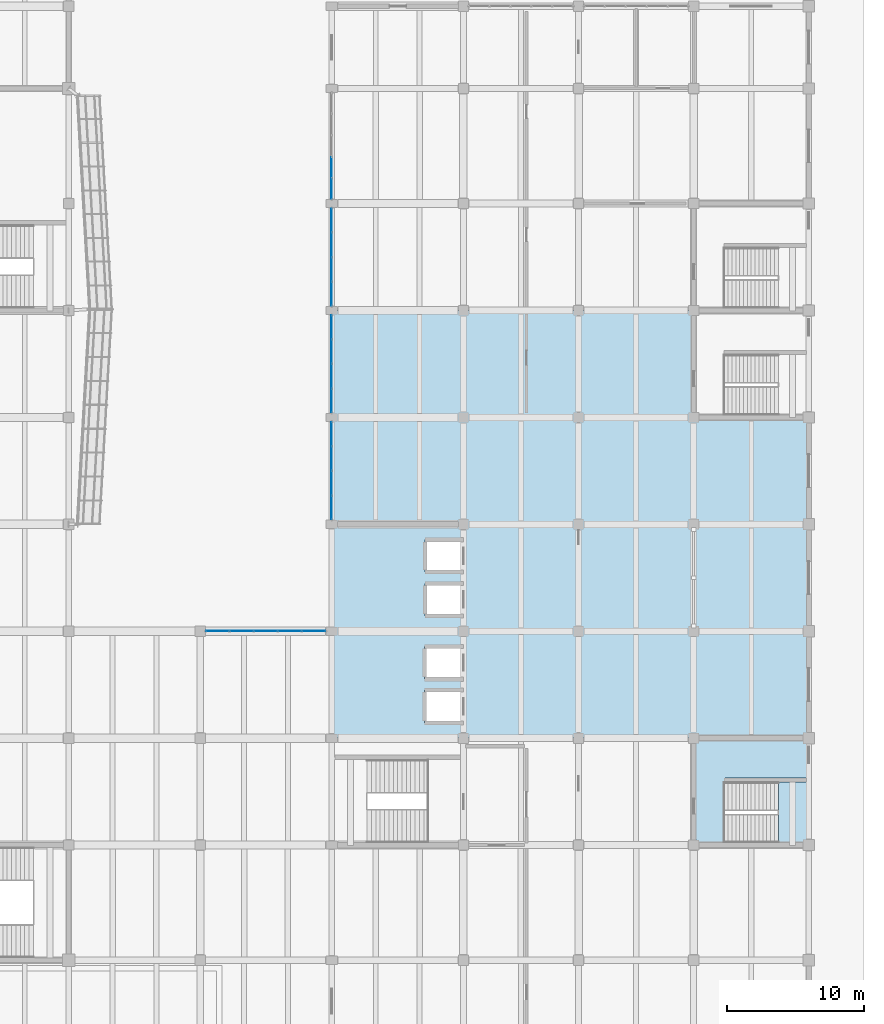
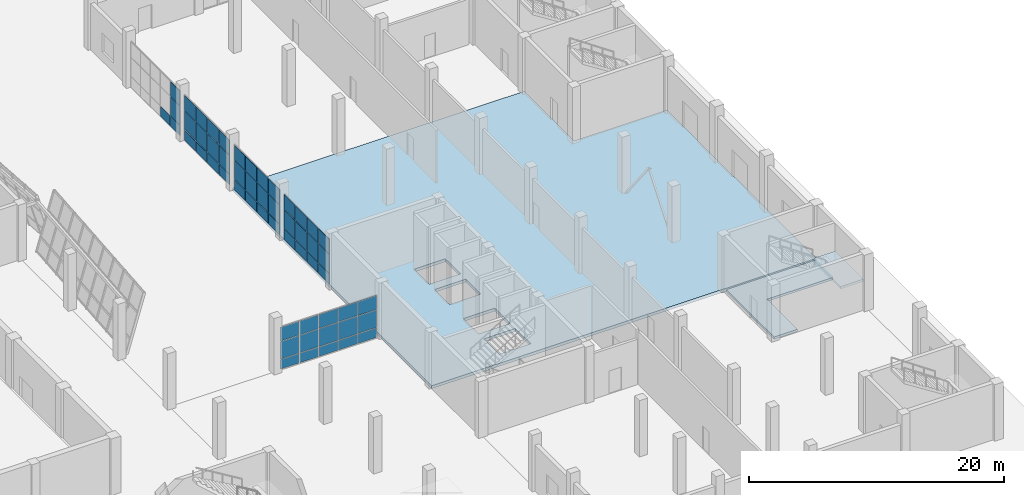
# One storey, part 53 of 78: 55 plates, 3 slabs, 6 elements without a shape of their own.
"""IFC4 building model written with IfcOpenShell, lengths in metres."""

from ifc_helpers import new_model, si_unit, direction, frame, origin, place, context, subcontext, project, spatial, polyline, outline, extrude, material, layer, layer_set, type_object, element, aggregate, save


model = new_model("IFC4")

# Units and contexts
model_context = context("Model", 3, precision=1e-05, world=origin(), true_north=direction((0.0, 1.0)))
body_context = subcontext(model_context, "Body", "Model", "MODEL_VIEW")
ifc_project = project(units=[si_unit("LENGTHUNIT", "METRE"), si_unit("AREAUNIT", "SQUARE_METRE"), si_unit("VOLUMEUNIT", "CUBIC_METRE"), si_unit("PLANEANGLEUNIT", "RADIAN"), si_unit("MASSUNIT", "GRAM", prefix="KILO")], contexts=[model_context])

# Site, building, storey
site_placement = place(None, origin())
site = spatial("IfcSite", under=ifc_project, at=site_placement, CompositionType="ELEMENT")
building_placement = place(site_placement, origin())
building = spatial("IfcBuilding", under=site, at=building_placement, Name="Pellamere Symphony Hall", CompositionType="ELEMENT")
storey_placement = place(building_placement, origin())
storey = spatial("IfcBuildingStorey", under=building, at=storey_placement, Name="L00", CompositionType="ELEMENT", Elevation=0.0)

# Curtain wall, plates
ifc_material_1 = material(Name="Thermally Broken Anodised Aluminium 6063-T6 Curtain Wall", Category="aluminium")
curtain_wall_type_1 = type_object("IfcCurtainWallType", Name="Curtain Wall CW-03 (Sculpture Court Glazed Link Curtain Wall)", PredefinedType="NOTDEFINED", material=ifc_material_1)
curtain_wall_1_placement = place(storey_placement, origin())
curtain_wall_1 = element("IfcCurtainWall", 1, at=curtain_wall_1_placement, inside=storey, type_object=curtain_wall_type_1, Name="Sculpture Court Link Curtain Wall (L00 Bay 2)", PredefinedType="NOTDEFINED")
ifc_material_2 = material(Name="Brushed Champagne-Anodised Aluminium Acoustic Cassette", Category="aluminium")
ifc_layer_1 = layer(ifc_material_2, 0.044921875, Name="Brushed Champagne-Anodised Aluminium Acoustic Cassette")
ifc_layer_set_1 = layer_set([ifc_layer_1], Name="Brushed Champagne-Anodised Aluminium Acoustic Cassette")
plate_type_1 = type_object("IfcPlateType", Name="Facade Panel CL-02 45mm", PredefinedType="CURTAIN_PANEL", material=ifc_layer_set_1)
plate_1_placement = place(storey_placement, frame((128.8349609375, 54.0, 0.06005859375), z_axis=(0.0, -1.0, 0.0), x_axis=(1.0, 0.0, 0.0)))
plate_1 = element("IfcPlate", 2, at=plate_1_placement, type_object=plate_type_1, Name="CW3-102 crystal glass panel 1.1", PredefinedType="CURTAIN_PANEL", context=body_context, shape_type="SweptSolid", body=[
    extrude(outline(polyline([(0.0, 0.0), (1.669921875, 0.0), (1.669921875, 0.898681640625), (0.0, 0.898681640625), (0.0, 0.0)])), origin(), (0.0, 0.0, -1.0), 0.044921875),
])
plate_2_placement = place(storey_placement, frame((128.8349609375, 54.0, 1.018798828125), z_axis=(0.0, -1.0, 0.0), x_axis=(1.0, 0.0, 0.0)))
plate_2 = element("IfcPlate", 3, at=plate_2_placement, type_object=plate_type_1, Name="CW3-102 crystal glass panel 1.2", PredefinedType="CURTAIN_PANEL", context=body_context, shape_type="SweptSolid", body=[
    extrude(outline(polyline([(0.0, 0.0), (1.669921875, 0.0), (1.669921875, 1.67041015625), (0.0, 1.67041015625), (0.0, 0.0)])), origin(), (0.0, 0.0, -1.0), 0.044921875),
])
plate_3_placement = place(storey_placement, frame((128.8349609375, 54.0, 2.749267578125), z_axis=(0.0, -1.0, 0.0), x_axis=(1.0, 0.0, 0.0)))
plate_3 = element("IfcPlate", 4, at=plate_3_placement, type_object=plate_type_1, Name="CW3-102 crystal glass panel 1.3", PredefinedType="CURTAIN_PANEL", context=body_context, shape_type="SweptSolid", body=[
    extrude(outline(polyline([(0.0, 0.0), (1.669921875, 0.0), (1.669921875, 1.310791015625), (0.0, 1.310791015625), (0.0, 0.0)])), origin(), (0.0, 0.0, -1.0), 0.044921875),
])
plate_4_placement = place(storey_placement, frame((130.56494140625, 54.0, 0.06005859375), z_axis=(0.0, -1.0, 0.0), x_axis=(1.0, 0.0, 0.0)))
plate_4 = element("IfcPlate", 5, at=plate_4_placement, type_object=plate_type_1, Name="CW3-102 crystal glass panel 2.1", PredefinedType="CURTAIN_PANEL", context=body_context, shape_type="SweptSolid", body=[
    extrude(outline(polyline([(0.0, 0.0), (1.699951171875, 0.0), (1.699951171875, 0.898681640625), (0.0, 0.898681640625), (0.0, 0.0)])), origin(), (0.0, 0.0, -1.0), 0.044921875),
])
plate_5_placement = place(storey_placement, frame((130.56494140625, 54.0, 1.018798828125), z_axis=(0.0, -1.0, 0.0), x_axis=(1.0, 0.0, 0.0)))
plate_5 = element("IfcPlate", 6, at=plate_5_placement, type_object=plate_type_1, Name="CW3-102 crystal glass panel 2.2", PredefinedType="CURTAIN_PANEL", context=body_context, shape_type="SweptSolid", body=[
    extrude(outline(polyline([(0.0, 0.0), (1.699951171875, 0.0), (1.699951171875, 1.67041015625), (0.0, 1.67041015625), (0.0, 0.0)])), origin(), (0.0, 0.0, -1.0), 0.044921875),
])
plate_6_placement = place(storey_placement, frame((130.56494140625, 54.0, 2.749267578125), z_axis=(0.0, -1.0, 0.0), x_axis=(1.0, 0.0, 0.0)))
plate_6 = element("IfcPlate", 7, at=plate_6_placement, type_object=plate_type_1, Name="CW3-102 crystal glass panel 2.3", PredefinedType="CURTAIN_PANEL", context=body_context, shape_type="SweptSolid", body=[
    extrude(outline(polyline([(0.0, 0.0), (1.699951171875, 0.0), (1.699951171875, 1.310791015625), (0.0, 1.310791015625), (0.0, 0.0)])), origin(), (0.0, 0.0, -1.0), 0.044921875),
])
plate_7_placement = place(storey_placement, frame((132.324951171875, 54.0, 0.06005859375), z_axis=(0.0, -1.0, 0.0), x_axis=(1.0, 0.0, 0.0)))
plate_7 = element("IfcPlate", 8, at=plate_7_placement, type_object=plate_type_1, Name="CW3-102 crystal glass panel 3.1", PredefinedType="CURTAIN_PANEL", context=body_context, shape_type="SweptSolid", body=[
    extrude(outline(polyline([(0.0, 0.0), (1.699951171875, 0.0), (1.699951171875, 0.898681640625), (0.0, 0.898681640625), (0.0, 0.0)])), origin(), (0.0, 0.0, -1.0), 0.044921875),
])
plate_8_placement = place(storey_placement, frame((132.324951171875, 54.0, 1.018798828125), z_axis=(0.0, -1.0, 0.0), x_axis=(1.0, 0.0, 0.0)))
plate_8 = element("IfcPlate", 9, at=plate_8_placement, type_object=plate_type_1, Name="CW3-102 crystal glass panel 3.2", PredefinedType="CURTAIN_PANEL", context=body_context, shape_type="SweptSolid", body=[
    extrude(outline(polyline([(0.0, 0.0), (1.699951171875, 0.0), (1.699951171875, 1.67041015625), (0.0, 1.67041015625), (0.0, 0.0)])), origin(), (0.0, 0.0, -1.0), 0.044921875),
])
plate_9_placement = place(storey_placement, frame((132.324951171875, 54.0, 2.749267578125), z_axis=(0.0, -1.0, 0.0), x_axis=(1.0, 0.0, 0.0)))
plate_9 = element("IfcPlate", 10, at=plate_9_placement, type_object=plate_type_1, Name="CW3-102 crystal glass panel 3.3", PredefinedType="CURTAIN_PANEL", context=body_context, shape_type="SweptSolid", body=[
    extrude(outline(polyline([(0.0, 0.0), (1.699951171875, 0.0), (1.699951171875, 1.310791015625), (0.0, 1.310791015625), (0.0, 0.0)])), origin(), (0.0, 0.0, -1.0), 0.044921875),
])
plate_10_placement = place(storey_placement, frame((134.0849609375, 54.0, 0.06005859375), z_axis=(0.0, -1.0, 0.0), x_axis=(1.0, 0.0, 0.0)))
plate_10 = element("IfcPlate", 11, at=plate_10_placement, type_object=plate_type_1, Name="CW3-102 crystal glass panel 4.1", PredefinedType="CURTAIN_PANEL", context=body_context, shape_type="SweptSolid", body=[
    extrude(outline(polyline([(0.0, 0.0), (1.699951171875, 0.0), (1.699951171875, 0.898681640625), (0.0, 0.898681640625), (0.0, 0.0)])), origin(), (0.0, 0.0, -1.0), 0.044921875),
])
plate_11_placement = place(storey_placement, frame((134.0849609375, 54.0, 1.018798828125), z_axis=(0.0, -1.0, 0.0), x_axis=(1.0, 0.0, 0.0)))
plate_11 = element("IfcPlate", 12, at=plate_11_placement, type_object=plate_type_1, Name="CW3-102 crystal glass panel 4.2", PredefinedType="CURTAIN_PANEL", context=body_context, shape_type="SweptSolid", body=[
    extrude(outline(polyline([(0.0, 0.0), (1.699951171875, 0.0), (1.699951171875, 1.67041015625), (0.0, 1.67041015625), (0.0, 0.0)])), origin(), (0.0, 0.0, -1.0), 0.044921875),
])
plate_12_placement = place(storey_placement, frame((134.0849609375, 54.0, 2.749267578125), z_axis=(0.0, -1.0, 0.0), x_axis=(1.0, 0.0, 0.0)))
plate_12 = element("IfcPlate", 13, at=plate_12_placement, type_object=plate_type_1, Name="CW3-102 crystal glass panel 4.3", PredefinedType="CURTAIN_PANEL", context=body_context, shape_type="SweptSolid", body=[
    extrude(outline(polyline([(0.0, 0.0), (1.699951171875, 0.0), (1.699951171875, 1.310791015625), (0.0, 1.310791015625), (0.0, 0.0)])), origin(), (0.0, 0.0, -1.0), 0.044921875),
])
plate_13_placement = place(storey_placement, frame((135.844970703125, 54.0, 0.06005859375), z_axis=(0.0, -1.0, 0.0), x_axis=(1.0, 0.0, 0.0)))
plate_13 = element("IfcPlate", 14, at=plate_13_placement, type_object=plate_type_1, Name="CW3-102 crystal glass panel 5.1", PredefinedType="CURTAIN_PANEL", context=body_context, shape_type="SweptSolid", body=[
    extrude(outline(polyline([(0.0, 0.0), (1.669921875, 0.0), (1.669921875, 0.898681640625), (0.0, 0.898681640625), (0.0, 0.0)])), origin(), (0.0, 0.0, -1.0), 0.044921875),
])
plate_14_placement = place(storey_placement, frame((135.844970703125, 54.0, 1.018798828125), z_axis=(0.0, -1.0, 0.0), x_axis=(1.0, 0.0, 0.0)))
plate_14 = element("IfcPlate", 15, at=plate_14_placement, type_object=plate_type_1, Name="CW3-102 crystal glass panel 5.2", PredefinedType="CURTAIN_PANEL", context=body_context, shape_type="SweptSolid", body=[
    extrude(outline(polyline([(0.0, 0.0), (1.669921875, 0.0), (1.669921875, 1.67041015625), (0.0, 1.67041015625), (0.0, 0.0)])), origin(), (0.0, 0.0, -1.0), 0.044921875),
])
plate_15_placement = place(storey_placement, frame((135.844970703125, 54.0, 2.749267578125), z_axis=(0.0, -1.0, 0.0), x_axis=(1.0, 0.0, 0.0)))
plate_15 = element("IfcPlate", 16, at=plate_15_placement, type_object=plate_type_1, Name="CW3-102 crystal glass panel 5.3", PredefinedType="CURTAIN_PANEL", context=body_context, shape_type="SweptSolid", body=[
    extrude(outline(polyline([(0.0, 0.0), (1.669921875, 0.0), (1.669921875, 1.310791015625), (0.0, 1.310791015625), (0.0, 0.0)])), origin(), (0.0, 0.0, -1.0), 0.044921875),
])
aggregate(curtain_wall_1, [plate_1, plate_2, plate_3, plate_4, plate_5, plate_6, plate_7, plate_8, plate_9, plate_10, plate_11, plate_12, plate_13, plate_14, plate_15])

curtain_wall_type_2 = type_object("IfcCurtainWallType", Name="Curtain Wall CW-05 (Artists Wing North Studio Ribbon Curtain Wall)", PredefinedType="NOTDEFINED", material=ifc_material_1)
curtain_wall_2_placement = place(storey_placement, origin())
curtain_wall_2 = element("IfcCurtainWall", 17, at=curtain_wall_2_placement, inside=storey, type_object=curtain_wall_type_2, Name="Sculpture Court East Wing Curtain Wall (L00 Bay 1)", PredefinedType="NOTDEFINED")
ifc_material_3 = material(Name="Triple Low-E Argon Acoustic Glazing 36mm", Category="glass")
ifc_layer_2 = layer(ifc_material_3, 0.035888671875, Name="Triple Low-E Argon Acoustic Glazing 36mm")
ifc_layer_set_2 = layer_set([ifc_layer_2], Name="Triple Low-E Argon Acoustic Glazing 36mm")
plate_type_2 = type_object("IfcPlateType", Name="Facade Panel GL-01 36mm", PredefinedType="CURTAIN_PANEL", material=ifc_layer_set_2)
plate_16_placement = place(storey_placement, frame((138.0, 62.159912109375, 0.06005859375), z_axis=(1.0, 0.0, 0.0), x_axis=(0.0, 1.0, 0.0)))
plate_16 = element("IfcPlate", 18, at=plate_16_placement, type_object=plate_type_2, Name="CW5-126 crystal glass panel 1.1", PredefinedType="CURTAIN_PANEL", context=body_context, shape_type="SweptSolid", body=[
    extrude(outline(polyline([(0.0, 0.0), (1.710205078125, 0.0), (1.710205078125, 0.9658203125), (0.0, 0.9658203125), (0.0, 0.0)])), origin(), (0.0, 0.0, -1.0), 0.035888671875),
])
plate_17_placement = place(storey_placement, frame((138.0, 62.159912109375, 1.0859375), z_axis=(1.0, 0.0, 0.0), x_axis=(0.0, 1.0, 0.0)))
plate_17 = element("IfcPlate", 19, at=plate_17_placement, type_object=plate_type_2, Name="CW5-126 crystal glass panel 1.2", PredefinedType="CURTAIN_PANEL", context=body_context, shape_type="SweptSolid", body=[
    extrude(outline(polyline([(0.0, 0.0), (1.710205078125, 0.0), (1.710205078125, 1.7880859375), (0.0, 1.7880859375), (0.0, 0.0)])), origin(), (0.0, 0.0, -1.0), 0.035888671875),
])
plate_18_placement = place(storey_placement, frame((138.0, 62.159912109375, 2.93408203125), z_axis=(1.0, 0.0, 0.0), x_axis=(0.0, 1.0, 0.0)))
plate_18 = element("IfcPlate", 20, at=plate_18_placement, type_object=plate_type_2, Name="CW5-126 crystal glass panel 1.3", PredefinedType="CURTAIN_PANEL", context=body_context, shape_type="SweptSolid", body=[
    extrude(outline(polyline([(0.0, 0.0), (1.710205078125, 0.0), (1.710205078125, 1.406005859375), (0.0, 1.406005859375), (0.0, 0.0)])), origin(), (0.0, 0.0, -1.0), 0.035888671875),
])
plate_19_placement = place(storey_placement, frame((138.0, 63.929931640625, 0.06005859375), z_axis=(1.0, 0.0, 0.0), x_axis=(0.0, 1.0, 0.0)))
plate_19 = element("IfcPlate", 21, at=plate_19_placement, type_object=plate_type_2, Name="CW5-126 crystal glass panel 2.1", PredefinedType="CURTAIN_PANEL", context=body_context, shape_type="SweptSolid", body=[
    extrude(outline(polyline([(0.0, 0.0), (1.739990234375, 0.0), (1.739990234375, 0.9658203125), (0.0, 0.9658203125), (0.0, 0.0)])), origin(), (0.0, 0.0, -1.0), 0.035888671875),
])
plate_20_placement = place(storey_placement, frame((138.0, 63.929931640625, 1.0859375), z_axis=(1.0, 0.0, 0.0), x_axis=(0.0, 1.0, 0.0)))
plate_20 = element("IfcPlate", 22, at=plate_20_placement, type_object=plate_type_2, Name="CW5-126 crystal glass panel 2.2", PredefinedType="CURTAIN_PANEL", context=body_context, shape_type="SweptSolid", body=[
    extrude(outline(polyline([(0.0, 0.0), (1.739990234375, 0.0), (1.739990234375, 1.7880859375), (0.0, 1.7880859375), (0.0, 0.0)])), origin(), (0.0, 0.0, -1.0), 0.035888671875),
])
plate_21_placement = place(storey_placement, frame((138.0, 63.929931640625, 2.93408203125), z_axis=(1.0, 0.0, 0.0), x_axis=(0.0, 1.0, 0.0)))
plate_21 = element("IfcPlate", 23, at=plate_21_placement, type_object=plate_type_2, Name="CW5-126 crystal glass panel 2.3", PredefinedType="CURTAIN_PANEL", context=body_context, shape_type="SweptSolid", body=[
    extrude(outline(polyline([(0.0, 0.0), (1.739990234375, 0.0), (1.739990234375, 1.406005859375), (0.0, 1.406005859375), (0.0, 0.0)])), origin(), (0.0, 0.0, -1.0), 0.035888671875),
])
plate_22_placement = place(storey_placement, frame((138.0, 65.72998046875, 0.06005859375), z_axis=(1.0, 0.0, 0.0), x_axis=(0.0, 1.0, 0.0)))
plate_22 = element("IfcPlate", 24, at=plate_22_placement, type_object=plate_type_2, Name="CW5-126 crystal glass panel 3.1", PredefinedType="CURTAIN_PANEL", context=body_context, shape_type="SweptSolid", body=[
    extrude(outline(polyline([(0.0, 0.0), (1.739990234375, 0.0), (1.739990234375, 0.9658203125), (0.0, 0.9658203125), (0.0, 0.0)])), origin(), (0.0, 0.0, -1.0), 0.035888671875),
])
plate_23_placement = place(storey_placement, frame((138.0, 65.72998046875, 1.0859375), z_axis=(1.0, 0.0, 0.0), x_axis=(0.0, 1.0, 0.0)))
plate_23 = element("IfcPlate", 25, at=plate_23_placement, type_object=plate_type_2, Name="CW5-126 crystal glass panel 3.2", PredefinedType="CURTAIN_PANEL", context=body_context, shape_type="SweptSolid", body=[
    extrude(outline(polyline([(0.0, 0.0), (1.739990234375, 0.0), (1.739990234375, 1.7880859375), (0.0, 1.7880859375), (0.0, 0.0)])), origin(), (0.0, 0.0, -1.0), 0.035888671875),
])
plate_24_placement = place(storey_placement, frame((138.0, 65.72998046875, 2.93408203125), z_axis=(1.0, 0.0, 0.0), x_axis=(0.0, 1.0, 0.0)))
plate_24 = element("IfcPlate", 26, at=plate_24_placement, type_object=plate_type_2, Name="CW5-126 crystal glass panel 3.3", PredefinedType="CURTAIN_PANEL", context=body_context, shape_type="SweptSolid", body=[
    extrude(outline(polyline([(0.0, 0.0), (1.739990234375, 0.0), (1.739990234375, 1.406005859375), (0.0, 1.406005859375), (0.0, 0.0)])), origin(), (0.0, 0.0, -1.0), 0.035888671875),
])
plate_25_placement = place(storey_placement, frame((138.0, 67.530029296875, 0.06005859375), z_axis=(1.0, 0.0, 0.0), x_axis=(0.0, 1.0, 0.0)))
plate_25 = element("IfcPlate", 27, at=plate_25_placement, type_object=plate_type_2, Name="CW5-126 crystal glass panel 4.1", PredefinedType="CURTAIN_PANEL", context=body_context, shape_type="SweptSolid", body=[
    extrude(outline(polyline([(0.0, 0.0), (1.7099609375, 0.0), (1.7099609375, 0.9658203125), (0.0, 0.9658203125), (0.0, 0.0)])), origin(), (0.0, 0.0, -1.0), 0.035888671875),
])
plate_26_placement = place(storey_placement, frame((138.0, 67.530029296875, 1.0859375), z_axis=(1.0, 0.0, 0.0), x_axis=(0.0, 1.0, 0.0)))
plate_26 = element("IfcPlate", 28, at=plate_26_placement, type_object=plate_type_2, Name="CW5-126 crystal glass panel 4.2", PredefinedType="CURTAIN_PANEL", context=body_context, shape_type="SweptSolid", body=[
    extrude(outline(polyline([(0.0, 0.0), (1.7099609375, 0.0), (1.7099609375, 1.7880859375), (0.0, 1.7880859375), (0.0, 0.0)])), origin(), (0.0, 0.0, -1.0), 0.035888671875),
])
plate_27_placement = place(storey_placement, frame((138.0, 67.530029296875, 2.93408203125), z_axis=(1.0, 0.0, 0.0), x_axis=(0.0, 1.0, 0.0)))
plate_27 = element("IfcPlate", 29, at=plate_27_placement, type_object=plate_type_2, Name="CW5-126 crystal glass panel 4.3", PredefinedType="CURTAIN_PANEL", context=body_context, shape_type="SweptSolid", body=[
    extrude(outline(polyline([(0.0, 0.0), (1.7099609375, 0.0), (1.7099609375, 1.406005859375), (0.0, 1.406005859375), (0.0, 0.0)])), origin(), (0.0, 0.0, -1.0), 0.035888671875),
])
aggregate(curtain_wall_2, [plate_16, plate_17, plate_18, plate_19, plate_20, plate_21, plate_22, plate_23, plate_24, plate_25, plate_26, plate_27])

curtain_wall_3_placement = place(storey_placement, origin())
curtain_wall_3 = element("IfcCurtainWall", 30, at=curtain_wall_3_placement, inside=storey, type_object=curtain_wall_type_2, Name="Sculpture Court East Wing Curtain Wall (L00 Bay 2)", PredefinedType="NOTDEFINED")
plate_28_placement = place(storey_placement, frame((138.0, 69.9599609375, 0.06005859375), z_axis=(1.0, 0.0, 0.0), x_axis=(0.0, 1.0, 0.0)))
plate_28 = element("IfcPlate", 31, at=plate_28_placement, type_object=plate_type_2, Name="CW5-127 crystal glass panel 1.1", PredefinedType="CURTAIN_PANEL", context=body_context, shape_type="SweptSolid", body=[
    extrude(outline(polyline([(0.0, 0.0), (1.7099609375, 0.0), (1.7099609375, 0.9658203125), (0.0, 0.9658203125), (0.0, 0.0)])), origin(), (0.0, 0.0, -1.0), 0.035888671875),
])
plate_29_placement = place(storey_placement, frame((138.0, 69.9599609375, 1.0859375), z_axis=(1.0, 0.0, 0.0), x_axis=(0.0, 1.0, 0.0)))
plate_29 = element("IfcPlate", 32, at=plate_29_placement, type_object=plate_type_2, Name="CW5-127 crystal glass panel 1.2", PredefinedType="CURTAIN_PANEL", context=body_context, shape_type="SweptSolid", body=[
    extrude(outline(polyline([(0.0, 0.0), (1.7099609375, 0.0), (1.7099609375, 1.7880859375), (0.0, 1.7880859375), (0.0, 0.0)])), origin(), (0.0, 0.0, -1.0), 0.035888671875),
])
plate_30_placement = place(storey_placement, frame((138.0, 69.9599609375, 2.93408203125), z_axis=(1.0, 0.0, 0.0), x_axis=(0.0, 1.0, 0.0)))
plate_30 = element("IfcPlate", 33, at=plate_30_placement, type_object=plate_type_2, Name="CW5-127 crystal glass panel 1.3", PredefinedType="CURTAIN_PANEL", context=body_context, shape_type="SweptSolid", body=[
    extrude(outline(polyline([(0.0, 0.0), (1.7099609375, 0.0), (1.7099609375, 1.406005859375), (0.0, 1.406005859375), (0.0, 0.0)])), origin(), (0.0, 0.0, -1.0), 0.035888671875),
])
plate_31_placement = place(storey_placement, frame((138.0, 71.72998046875, 0.06005859375), z_axis=(1.0, 0.0, 0.0), x_axis=(0.0, 1.0, 0.0)))
plate_31 = element("IfcPlate", 34, at=plate_31_placement, type_object=plate_type_2, Name="CW5-127 crystal glass panel 2.1", PredefinedType="CURTAIN_PANEL", context=body_context, shape_type="SweptSolid", body=[
    extrude(outline(polyline([(0.0, 0.0), (1.739990234375, 0.0), (1.739990234375, 0.9658203125), (0.0, 0.9658203125), (0.0, 0.0)])), origin(), (0.0, 0.0, -1.0), 0.035888671875),
])
plate_32_placement = place(storey_placement, frame((138.0, 71.72998046875, 1.0859375), z_axis=(1.0, 0.0, 0.0), x_axis=(0.0, 1.0, 0.0)))
plate_32 = element("IfcPlate", 35, at=plate_32_placement, type_object=plate_type_2, Name="CW5-127 crystal glass panel 2.2", PredefinedType="CURTAIN_PANEL", context=body_context, shape_type="SweptSolid", body=[
    extrude(outline(polyline([(0.0, 0.0), (1.739990234375, 0.0), (1.739990234375, 1.7880859375), (0.0, 1.7880859375), (0.0, 0.0)])), origin(), (0.0, 0.0, -1.0), 0.035888671875),
])
plate_33_placement = place(storey_placement, frame((138.0, 71.72998046875, 2.93408203125), z_axis=(1.0, 0.0, 0.0), x_axis=(0.0, 1.0, 0.0)))
plate_33 = element("IfcPlate", 36, at=plate_33_placement, type_object=plate_type_2, Name="CW5-127 crystal glass panel 2.3", PredefinedType="CURTAIN_PANEL", context=body_context, shape_type="SweptSolid", body=[
    extrude(outline(polyline([(0.0, 0.0), (1.739990234375, 0.0), (1.739990234375, 1.406005859375), (0.0, 1.406005859375), (0.0, 0.0)])), origin(), (0.0, 0.0, -1.0), 0.035888671875),
])
plate_34_placement = place(storey_placement, frame((138.0, 73.530029296875, 0.06005859375), z_axis=(1.0, 0.0, 0.0), x_axis=(0.0, 1.0, 0.0)))
plate_34 = element("IfcPlate", 37, at=plate_34_placement, type_object=plate_type_2, Name="CW5-127 crystal glass panel 3.1", PredefinedType="CURTAIN_PANEL", context=body_context, shape_type="SweptSolid", body=[
    extrude(outline(polyline([(0.0, 0.0), (1.739990234375, 0.0), (1.739990234375, 0.9658203125), (0.0, 0.9658203125), (0.0, 0.0)])), origin(), (0.0, 0.0, -1.0), 0.035888671875),
])
plate_35_placement = place(storey_placement, frame((138.0, 73.530029296875, 1.0859375), z_axis=(1.0, 0.0, 0.0), x_axis=(0.0, 1.0, 0.0)))
plate_35 = element("IfcPlate", 38, at=plate_35_placement, type_object=plate_type_2, Name="CW5-127 crystal glass panel 3.2", PredefinedType="CURTAIN_PANEL", context=body_context, shape_type="SweptSolid", body=[
    extrude(outline(polyline([(0.0, 0.0), (1.739990234375, 0.0), (1.739990234375, 1.7880859375), (0.0, 1.7880859375), (0.0, 0.0)])), origin(), (0.0, 0.0, -1.0), 0.035888671875),
])
plate_36_placement = place(storey_placement, frame((138.0, 73.530029296875, 2.93408203125), z_axis=(1.0, 0.0, 0.0), x_axis=(0.0, 1.0, 0.0)))
plate_36 = element("IfcPlate", 39, at=plate_36_placement, type_object=plate_type_2, Name="CW5-127 crystal glass panel 3.3", PredefinedType="CURTAIN_PANEL", context=body_context, shape_type="SweptSolid", body=[
    extrude(outline(polyline([(0.0, 0.0), (1.739990234375, 0.0), (1.739990234375, 1.406005859375), (0.0, 1.406005859375), (0.0, 0.0)])), origin(), (0.0, 0.0, -1.0), 0.035888671875),
])
plate_37_placement = place(storey_placement, frame((138.0, 75.330078125, 0.06005859375), z_axis=(1.0, 0.0, 0.0), x_axis=(0.0, 1.0, 0.0)))
plate_37 = element("IfcPlate", 40, at=plate_37_placement, type_object=plate_type_2, Name="CW5-127 crystal glass panel 4.1", PredefinedType="CURTAIN_PANEL", context=body_context, shape_type="SweptSolid", body=[
    extrude(outline(polyline([(0.0, 0.0), (1.7099609375, 0.0), (1.7099609375, 0.9658203125), (0.0, 0.9658203125), (0.0, 0.0)])), origin(), (0.0, 0.0, -1.0), 0.035888671875),
])
plate_38_placement = place(storey_placement, frame((138.0, 75.330078125, 1.0859375), z_axis=(1.0, 0.0, 0.0), x_axis=(0.0, 1.0, 0.0)))
plate_38 = element("IfcPlate", 41, at=plate_38_placement, type_object=plate_type_2, Name="CW5-127 crystal glass panel 4.2", PredefinedType="CURTAIN_PANEL", context=body_context, shape_type="SweptSolid", body=[
    extrude(outline(polyline([(0.0, 0.0), (1.7099609375, 0.0), (1.7099609375, 1.7880859375), (0.0, 1.7880859375), (0.0, 0.0)])), origin(), (0.0, 0.0, -1.0), 0.035888671875),
])
plate_39_placement = place(storey_placement, frame((138.0, 75.330078125, 2.93408203125), z_axis=(1.0, 0.0, 0.0), x_axis=(0.0, 1.0, 0.0)))
plate_39 = element("IfcPlate", 42, at=plate_39_placement, type_object=plate_type_2, Name="CW5-127 crystal glass panel 4.3", PredefinedType="CURTAIN_PANEL", context=body_context, shape_type="SweptSolid", body=[
    extrude(outline(polyline([(0.0, 0.0), (1.7099609375, 0.0), (1.7099609375, 1.406005859375), (0.0, 1.406005859375), (0.0, 0.0)])), origin(), (0.0, 0.0, -1.0), 0.035888671875),
])
aggregate(curtain_wall_3, [plate_28, plate_29, plate_30, plate_31, plate_32, plate_33, plate_34, plate_35, plate_36, plate_37, plate_38, plate_39])

curtain_wall_4_placement = place(storey_placement, origin())
curtain_wall_4 = element("IfcCurtainWall", 43, at=curtain_wall_4_placement, inside=storey, type_object=curtain_wall_type_2, Name="Sculpture Court East Wing Curtain Wall (L00 Bay 3)", PredefinedType="NOTDEFINED")
plate_40_placement = place(storey_placement, frame((138.0, 77.760009765625, 0.06005859375), z_axis=(1.0, 0.0, 0.0), x_axis=(0.0, 1.0, 0.0)))
plate_40 = element("IfcPlate", 44, at=plate_40_placement, type_object=plate_type_2, Name="CW5-128 crystal glass panel 1.1", PredefinedType="CURTAIN_PANEL", context=body_context, shape_type="SweptSolid", body=[
    extrude(outline(polyline([(0.0, 0.0), (1.7099609375, 0.0), (1.7099609375, 0.9658203125), (0.0, 0.9658203125), (0.0, 0.0)])), origin(), (0.0, 0.0, -1.0), 0.035888671875),
])
plate_41_placement = place(storey_placement, frame((138.0, 77.760009765625, 1.0859375), z_axis=(1.0, 0.0, 0.0), x_axis=(0.0, 1.0, 0.0)))
plate_41 = element("IfcPlate", 45, at=plate_41_placement, type_object=plate_type_2, Name="CW5-128 crystal glass panel 1.2", PredefinedType="CURTAIN_PANEL", context=body_context, shape_type="SweptSolid", body=[
    extrude(outline(polyline([(0.0, 0.0), (1.7099609375, 0.0), (1.7099609375, 1.7880859375), (0.0, 1.7880859375), (0.0, 0.0)])), origin(), (0.0, 0.0, -1.0), 0.035888671875),
])
plate_42_placement = place(storey_placement, frame((138.0, 77.760009765625, 2.93408203125), z_axis=(1.0, 0.0, 0.0), x_axis=(0.0, 1.0, 0.0)))
plate_42 = element("IfcPlate", 46, at=plate_42_placement, type_object=plate_type_2, Name="CW5-128 crystal glass panel 1.3", PredefinedType="CURTAIN_PANEL", context=body_context, shape_type="SweptSolid", body=[
    extrude(outline(polyline([(0.0, 0.0), (1.7099609375, 0.0), (1.7099609375, 1.406005859375), (0.0, 1.406005859375), (0.0, 0.0)])), origin(), (0.0, 0.0, -1.0), 0.035888671875),
])
plate_43_placement = place(storey_placement, frame((138.0, 79.530029296875, 0.06005859375), z_axis=(1.0, 0.0, 0.0), x_axis=(0.0, 1.0, 0.0)))
plate_43 = element("IfcPlate", 47, at=plate_43_placement, type_object=plate_type_2, Name="CW5-128 crystal glass panel 2.1", PredefinedType="CURTAIN_PANEL", context=body_context, shape_type="SweptSolid", body=[
    extrude(outline(polyline([(0.0, 0.0), (1.739990234375, 0.0), (1.739990234375, 0.9658203125), (0.0, 0.9658203125), (0.0, 0.0)])), origin(), (0.0, 0.0, -1.0), 0.035888671875),
])
plate_44_placement = place(storey_placement, frame((138.0, 79.530029296875, 1.0859375), z_axis=(1.0, 0.0, 0.0), x_axis=(0.0, 1.0, 0.0)))
plate_44 = element("IfcPlate", 48, at=plate_44_placement, type_object=plate_type_2, Name="CW5-128 crystal glass panel 2.2", PredefinedType="CURTAIN_PANEL", context=body_context, shape_type="SweptSolid", body=[
    extrude(outline(polyline([(0.0, 0.0), (1.739990234375, 0.0), (1.739990234375, 1.7880859375), (0.0, 1.7880859375), (0.0, 0.0)])), origin(), (0.0, 0.0, -1.0), 0.035888671875),
])
plate_45_placement = place(storey_placement, frame((138.0, 79.530029296875, 2.93408203125), z_axis=(1.0, 0.0, 0.0), x_axis=(0.0, 1.0, 0.0)))
plate_45 = element("IfcPlate", 49, at=plate_45_placement, type_object=plate_type_2, Name="CW5-128 crystal glass panel 2.3", PredefinedType="CURTAIN_PANEL", context=body_context, shape_type="SweptSolid", body=[
    extrude(outline(polyline([(0.0, 0.0), (1.739990234375, 0.0), (1.739990234375, 1.406005859375), (0.0, 1.406005859375), (0.0, 0.0)])), origin(), (0.0, 0.0, -1.0), 0.035888671875),
])
plate_46_placement = place(storey_placement, frame((138.0, 81.330078125, 0.06005859375), z_axis=(1.0, 0.0, 0.0), x_axis=(0.0, 1.0, 0.0)))
plate_46 = element("IfcPlate", 50, at=plate_46_placement, type_object=plate_type_2, Name="CW5-128 crystal glass panel 3.1", PredefinedType="CURTAIN_PANEL", context=body_context, shape_type="SweptSolid", body=[
    extrude(outline(polyline([(0.0, 0.0), (1.739990234375, 0.0), (1.739990234375, 0.9658203125), (0.0, 0.9658203125), (0.0, 0.0)])), origin(), (0.0, 0.0, -1.0), 0.035888671875),
])
plate_47_placement = place(storey_placement, frame((138.0, 81.330078125, 1.0859375), z_axis=(1.0, 0.0, 0.0), x_axis=(0.0, 1.0, 0.0)))
plate_47 = element("IfcPlate", 51, at=plate_47_placement, type_object=plate_type_2, Name="CW5-128 crystal glass panel 3.2", PredefinedType="CURTAIN_PANEL", context=body_context, shape_type="SweptSolid", body=[
    extrude(outline(polyline([(0.0, 0.0), (1.739990234375, 0.0), (1.739990234375, 1.7880859375), (0.0, 1.7880859375), (0.0, 0.0)])), origin(), (0.0, 0.0, -1.0), 0.035888671875),
])
plate_48_placement = place(storey_placement, frame((138.0, 81.330078125, 2.93408203125), z_axis=(1.0, 0.0, 0.0), x_axis=(0.0, 1.0, 0.0)))
plate_48 = element("IfcPlate", 52, at=plate_48_placement, type_object=plate_type_2, Name="CW5-128 crystal glass panel 3.3", PredefinedType="CURTAIN_PANEL", context=body_context, shape_type="SweptSolid", body=[
    extrude(outline(polyline([(0.0, 0.0), (1.739990234375, 0.0), (1.739990234375, 1.406005859375), (0.0, 1.406005859375), (0.0, 0.0)])), origin(), (0.0, 0.0, -1.0), 0.035888671875),
])
plate_49_placement = place(storey_placement, frame((138.0, 83.1298828125, 0.06005859375), z_axis=(1.0, 0.0, 0.0), x_axis=(0.0, 1.0, 0.0)))
plate_49 = element("IfcPlate", 53, at=plate_49_placement, type_object=plate_type_2, Name="CW5-128 crystal glass panel 4.1", PredefinedType="CURTAIN_PANEL", context=body_context, shape_type="SweptSolid", body=[
    extrude(outline(polyline([(0.0, 0.0), (1.710205078125, 0.0), (1.710205078125, 0.9658203125), (0.0, 0.9658203125), (0.0, 0.0)])), origin(), (0.0, 0.0, -1.0), 0.035888671875),
])
plate_50_placement = place(storey_placement, frame((138.0, 83.1298828125, 1.0859375), z_axis=(1.0, 0.0, 0.0), x_axis=(0.0, 1.0, 0.0)))
plate_50 = element("IfcPlate", 54, at=plate_50_placement, type_object=plate_type_2, Name="CW5-128 crystal glass panel 4.2", PredefinedType="CURTAIN_PANEL", context=body_context, shape_type="SweptSolid", body=[
    extrude(outline(polyline([(0.0, 0.0), (1.710205078125, 0.0), (1.710205078125, 1.7880859375), (0.0, 1.7880859375), (0.0, 0.0)])), origin(), (0.0, 0.0, -1.0), 0.035888671875),
])
plate_51_placement = place(storey_placement, frame((138.0, 83.1298828125, 2.93408203125), z_axis=(1.0, 0.0, 0.0), x_axis=(0.0, 1.0, 0.0)))
plate_51 = element("IfcPlate", 55, at=plate_51_placement, type_object=plate_type_2, Name="CW5-128 crystal glass panel 4.3", PredefinedType="CURTAIN_PANEL", context=body_context, shape_type="SweptSolid", body=[
    extrude(outline(polyline([(0.0, 0.0), (1.710205078125, 0.0), (1.710205078125, 1.406005859375), (0.0, 1.406005859375), (0.0, 0.0)])), origin(), (0.0, 0.0, -1.0), 0.035888671875),
])
aggregate(curtain_wall_4, [plate_40, plate_41, plate_42, plate_43, plate_44, plate_45, plate_46, plate_47, plate_48, plate_49, plate_50, plate_51])

curtain_wall_5_placement = place(storey_placement, origin())
curtain_wall_5 = element("IfcCurtainWall", 56, at=curtain_wall_5_placement, inside=storey, type_object=curtain_wall_type_2, Name="Sculpture Court East Wing Curtain Wall (L00 Bay 4)", PredefinedType="NOTDEFINED")
plate_52_placement = place(storey_placement, frame((138.0, 85.56005859375, 0.06005859375), z_axis=(1.0, 0.0, 0.0), x_axis=(0.0, 1.0, 0.0)))
plate_52 = element("IfcPlate", 57, at=plate_52_placement, type_object=plate_type_2, Name="CW5-129 crystal glass panel 1.1", PredefinedType="CURTAIN_PANEL", context=body_context, shape_type="SweptSolid", body=[
    extrude(outline(polyline([(0.0, 0.0), (1.469970703125, 0.0), (1.469970703125, 0.9658203125), (0.0, 0.9658203125), (0.0, 0.0)])), origin(), (0.0, 0.0, -1.0), 0.035888671875),
])
plate_53_placement = place(storey_placement, frame((138.0, 85.56005859375, 1.0859375), z_axis=(1.0, 0.0, 0.0), x_axis=(0.0, 1.0, 0.0)))
plate_53 = element("IfcPlate", 58, at=plate_53_placement, type_object=plate_type_2, Name="CW5-129 crystal glass panel 1.2", PredefinedType="CURTAIN_PANEL", context=body_context, shape_type="SweptSolid", body=[
    extrude(outline(polyline([(0.0, 0.0), (1.469970703125, 0.0), (1.469970703125, 1.7880859375), (0.0, 1.7880859375), (0.0, 0.0)])), origin(), (0.0, 0.0, -1.0), 0.035888671875),
])
plate_54_placement = place(storey_placement, frame((138.0, 85.56005859375, 2.93408203125), z_axis=(1.0, 0.0, 0.0), x_axis=(0.0, 1.0, 0.0)))
plate_54 = element("IfcPlate", 59, at=plate_54_placement, type_object=plate_type_2, Name="CW5-129 crystal glass panel 1.3", PredefinedType="CURTAIN_PANEL", context=body_context, shape_type="SweptSolid", body=[
    extrude(outline(polyline([(0.0, 0.0), (1.469970703125, 0.0), (1.469970703125, 1.406005859375), (0.0, 1.406005859375), (0.0, 0.0)])), origin(), (0.0, 0.0, -1.0), 0.035888671875),
])
plate_55_placement = place(storey_placement, frame((138.0, 87.090087890625, 0.06005859375), z_axis=(1.0, 0.0, 0.0), x_axis=(0.0, 1.0, 0.0)))
plate_55 = element("IfcPlate", 60, at=plate_55_placement, type_object=plate_type_2, Name="CW5-129 crystal glass panel 2.1", PredefinedType="CURTAIN_PANEL", context=body_context, shape_type="SweptSolid", body=[
    extrude(outline(polyline([(0.0, 0.0), (1.5, 0.0), (1.5, 0.9658203125), (0.0, 0.9658203125), (0.0, 0.0)])), origin(), (0.0, 0.0, -1.0), 0.035888671875),
])
aggregate(curtain_wall_5, [plate_52, plate_53, plate_54, plate_55])

# Stair, slabs
ifc_material_4 = material(Name="Concrete 40 MPa", Category="concrete")
stair_type = type_object("IfcStairType", Name="Stair ST-B W2050", PredefinedType="HALF_TURN_STAIR", material=ifc_material_4)
stair_placement = place(storey_placement, origin())
stair = element("IfcStair", 61, at=stair_placement, inside=storey, type_object=stair_type, Name="Exit Stair ST06-L00 (L00 to L01)", PredefinedType="HALF_TURN_STAIR")
ifc_layer_3 = layer(ifc_material_4, 0.219970703125, Name="Concrete 40 MPa")
ifc_layer_set_3 = layer_set([ifc_layer_3], Name="Concrete 40 MPa")
slab_type_1 = type_object("IfcSlabType", Name="Stair Landing SL-01 220mm", PredefinedType="LANDING", material=ifc_layer_set_3)
slab_1_placement = place(storey_placement, frame((0.0, 0.0, -0.219970703125)))
slab_1 = element("IfcSlab", 62, at=slab_1_placement, type_object=slab_type_1, Name="Stair ST06-L00 Bottom Landing (L00)", PredefinedType="LANDING", context=body_context, shape_type="SweptSolid", body=[
    extrude(outline(polyline([(164.56005859375, 38.56005859375), (166.675048828125, 38.56005859375), (166.675048828125, 43.300048828125), (172.639892578125, 43.300048828125), (172.639892578125, 46.0400390625), (164.56005859375, 46.0400390625), (164.56005859375, 38.56005859375)])), origin(), (0.0, 0.0, 1.0), 0.219970703125),
])
slab_2_placement = place(storey_placement, frame((0.0, 0.0, 2.47998046875)))
slab_2 = element("IfcSlab", 63, at=slab_2_placement, type_object=slab_type_1, Name="Stair ST06-L00 Half Landing (L00)", PredefinedType="LANDING", context=body_context, shape_type="SweptSolid", body=[
    extrude(outline(polyline([(170.574951171875, 38.56005859375), (172.639892578125, 38.56005859375), (172.639892578125, 43.0), (170.574951171875, 43.0), (170.574951171875, 38.56005859375)])), origin(), (0.0, 0.0, 1.0), 0.219970703125),
])
aggregate(stair, [slab_1, slab_2])

# Slab
ifc_layer_4 = layer(ifc_material_4, 0.280029296875, Name="Concrete 40 MPa")
ifc_layer_set_4 = layer_set([ifc_layer_4], Name="Concrete 40 MPa")
slab_type_2 = type_object("IfcSlabType", Name="Structural Slab FS-03 280mm", PredefinedType="FLOOR", material=ifc_layer_set_4)
slab_3_placement = place(storey_placement, frame((0.0, 0.0, -0.280029296875)))
element("IfcSlab", 64, at=slab_3_placement, inside=storey, type_object=slab_type_2, Name="Floor Slab L00-V5B-1", PredefinedType="FLOOR", context=body_context, shape_type="SweptSolid", body=[
    extrude(outline(polyline([(172.800048828125, 46.199951171875), (164.39990234375, 46.199951171875), (138.0, 46.199951171875), (138.0, 77.39990234375), (164.39990234375, 77.39990234375), (164.39990234375, 69.60009765625), (172.800048828125, 69.60009765625), (172.800048828125, 46.199951171875)]), holes=[polyline([(147.60009765625, 47.300048828125), (147.60009765625, 49.699951171875), (144.75, 49.699951171875), (144.75, 47.300048828125), (147.60009765625, 47.300048828125)]), polyline([(147.60009765625, 52.89990234375), (144.75, 52.89990234375), (144.75, 50.5), (147.60009765625, 50.5), (147.60009765625, 52.89990234375)]), polyline([(147.60009765625, 55.125), (147.60009765625, 57.47509765625), (144.800048828125, 57.47509765625), (144.800048828125, 55.125), (147.60009765625, 55.125)]), polyline([(147.60009765625, 58.324951171875), (147.60009765625, 60.675048828125), (144.800048828125, 60.675048828125), (144.800048828125, 58.324951171875), (147.60009765625, 58.324951171875)])]), origin(), (0.0, 0.0, 1.0), 0.280029296875),
])

save(model, "model.ifc")
